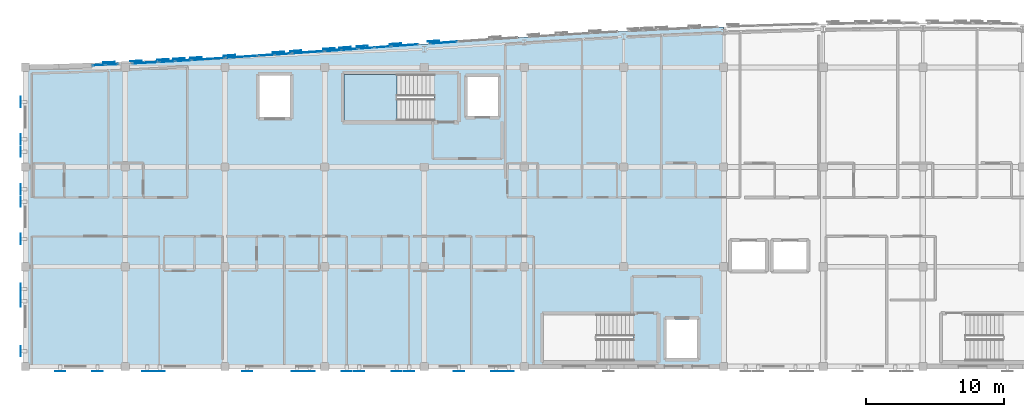
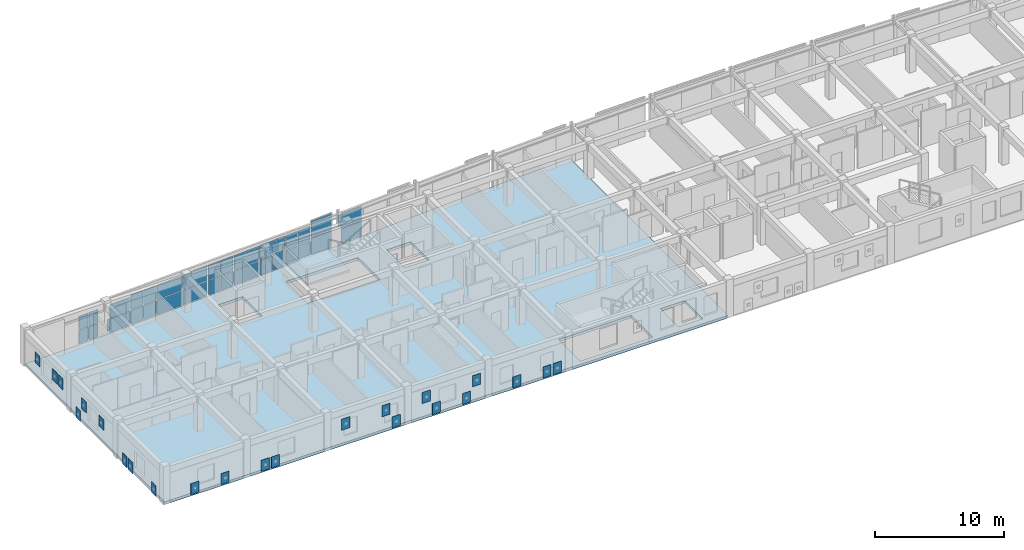
# One storey, part 33 of 51: 68 plates, 2 slabs, 12 elements without a shape of their own.
"""IFC4 building model written with IfcOpenShell, lengths in metres."""

from ifc_helpers import new_model, si_unit, direction, frame, origin, origin_2d, place, context, subcontext, project, spatial, polyline, rectangle, outline, extrude, material, layer, layer_set, type_object, element, aggregate, save


model = new_model("IFC4")

# Units and contexts
model_context = context("Model", 3, precision=1e-05, world=origin(), true_north=direction((0.0, 1.0)))
body_context = subcontext(model_context, "Body", "Model", "MODEL_VIEW")
ifc_project = project(units=[si_unit("LENGTHUNIT", "METRE"), si_unit("AREAUNIT", "SQUARE_METRE"), si_unit("VOLUMEUNIT", "CUBIC_METRE"), si_unit("PLANEANGLEUNIT", "RADIAN"), si_unit("MASSUNIT", "GRAM", prefix="KILO")], contexts=[model_context])

# Site, building, storey
site_placement = place(None, origin())
site = spatial("IfcSite", under=ifc_project, at=site_placement, CompositionType="ELEMENT")
building_placement = place(site_placement, origin())
building = spatial("IfcBuilding", under=site, at=building_placement, Name="Carrowvane Square Congress Hotel", CompositionType="ELEMENT")
storey_placement = place(building_placement, frame((0.0, 0.0, 30.0)))
storey = spatial("IfcBuildingStorey", under=building, at=storey_placement, Name="L07", CompositionType="ELEMENT", Elevation=30.0)

# Curtain wall, plates
ifc_material_1 = material(Name="Anodised aluminium", Category="aluminium")
ifc_layer_1 = layer(ifc_material_1, 0.18603515625)
ifc_layer_set_1 = layer_set([ifc_layer_1], Name="Anodised aluminium")
curtain_wall_type_1 = type_object("IfcCurtainWallType", Name="CW-SYS-3", PredefinedType="NOTDEFINED", material=ifc_layer_set_1)
curtain_wall_1_placement = place(storey_placement, origin())
curtain_wall_1 = element("IfcCurtainWall", 1, at=curtain_wall_1_placement, inside=storey, type_object=curtain_wall_type_1, Name="L07 unitised curtain wall 410", PredefinedType="NOTDEFINED")
ifc_material_2 = material(Name="Double-glazed low-E glass", Category="glass")
ifc_layer_2 = layer(ifc_material_2, 0.028076171875)
ifc_layer_set_2 = layer_set([ifc_layer_2], Name="Double-glazed low-E glass")
plate_type_1 = type_object("IfcPlateType", Name="CW-PAN-1", PredefinedType="CURTAIN_PANEL", material=ifc_layer_set_2)
plate_1_placement = place(storey_placement, frame((46.39990234375, 113.999267578125, 0.06005859375), z_axis=(0.0, 0.0, 1.0), x_axis=(0.997996225303, 0.063273487972, 0.0)))
plate_1 = element("IfcPlate", 2, at=plate_1_placement, type_object=plate_type_1, Name="CW-3 panel 1.1", PredefinedType="CURTAIN_PANEL", context=body_context, shape_type="SweptSolid", body=[
    extrude(rectangle(XDim=2.284912109375, YDim=0.028076171875, at=origin_2d()), origin(), (0.0, 0.0, 1.0), 1.377685546875),
])
plate_2_placement = place(storey_placement, frame((46.39990234375, 113.999267578125, 1.498046875), z_axis=(0.0, 0.0, 1.0), x_axis=(0.997996225303, 0.063273487972, 0.0)))
plate_2 = element("IfcPlate", 3, at=plate_2_placement, type_object=plate_type_1, Name="CW-3 panel 1.2", PredefinedType="CURTAIN_PANEL", context=body_context, shape_type="SweptSolid", body=[
    extrude(rectangle(XDim=2.284912109375, YDim=0.028076171875, at=origin_2d()), origin(), (0.0, 0.0, 1.0), 1.377685546875),
])
aggregate(curtain_wall_1, [plate_1, plate_2])

ifc_material_3 = material(Name="Anodised aluminium", Category="aluminium")
ifc_layer_3 = layer(ifc_material_3, 0.24609375)
ifc_layer_set_3 = layer_set([ifc_layer_3], Name="Anodised aluminium")
curtain_wall_type_2 = type_object("IfcCurtainWallType", Name="CW-SYS-8", PredefinedType="NOTDEFINED", material=ifc_layer_set_3)
curtain_wall_2_placement = place(storey_placement, origin())
curtain_wall_2 = element("IfcCurtainWall", 4, at=curtain_wall_2_placement, inside=storey, type_object=curtain_wall_type_2, Name="L07 unitised curtain wall 415", PredefinedType="NOTDEFINED")
plate_3_placement = place(storey_placement, frame((57.8173828125, 114.787353515625, 0.070068359375), z_axis=(0.0, 0.0, 1.0), x_axis=(0.997438322595, 0.071531759512, 0.0)))
plate_3 = element("IfcPlate", 5, at=plate_3_placement, type_object=plate_type_1, Name="CW-8 panel 1.1", PredefinedType="CURTAIN_PANEL", context=body_context, shape_type="SweptSolid", body=[
    extrude(rectangle(XDim=1.09814453125, YDim=0.028076171875, at=origin_2d()), origin(), (0.0, 0.0, 1.0), 1.36279296875),
])
plate_4_placement = place(storey_placement, frame((57.8173828125, 114.787353515625, 1.502685546875), z_axis=(0.0, 0.0, 1.0), x_axis=(0.997438322595, 0.071531759512, 0.0)))
plate_4 = element("IfcPlate", 6, at=plate_4_placement, type_object=plate_type_1, Name="CW-8 panel 1.2", PredefinedType="CURTAIN_PANEL", context=body_context, shape_type="SweptSolid", body=[
    extrude(rectangle(XDim=1.09814453125, YDim=0.028076171875, at=origin_2d()), origin(), (0.0, 0.0, 1.0), 1.36279296875),
])
plate_5_placement = place(storey_placement, frame((58.982666015625, 114.870849609375, 0.070068359375), z_axis=(0.0, 0.0, 1.0), x_axis=(0.997438322595, 0.071531759512, 0.0)))
plate_5 = element("IfcPlate", 7, at=plate_5_placement, type_object=plate_type_1, Name="CW-8 panel 2.1", PredefinedType="CURTAIN_PANEL", context=body_context, shape_type="SweptSolid", body=[
    extrude(rectangle(XDim=1.09814453125, YDim=0.028076171875, at=origin_2d()), origin(), (0.0, 0.0, 1.0), 1.36279296875),
])
plate_6_placement = place(storey_placement, frame((58.982666015625, 114.870849609375, 1.502685546875), z_axis=(0.0, 0.0, 1.0), x_axis=(0.997438322595, 0.071531759512, 0.0)))
plate_6 = element("IfcPlate", 8, at=plate_6_placement, type_object=plate_type_1, Name="CW-8 panel 2.2", PredefinedType="CURTAIN_PANEL", context=body_context, shape_type="SweptSolid", body=[
    extrude(rectangle(XDim=1.09814453125, YDim=0.028076171875, at=origin_2d()), origin(), (0.0, 0.0, 1.0), 1.36279296875),
])
aggregate(curtain_wall_2, [plate_3, plate_4, plate_5, plate_6])

ifc_material_4 = material(Name="Anodised aluminium", Category="aluminium")
ifc_layer_4 = layer(ifc_material_4, 0.197998046875)
ifc_layer_set_4 = layer_set([ifc_layer_4], Name="Anodised aluminium")
curtain_wall_type_3 = type_object("IfcCurtainWallType", Name="CW-SYS-4", PredefinedType="NOTDEFINED", material=ifc_layer_set_4)
curtain_wall_3_placement = place(storey_placement, origin())
curtain_wall_3 = element("IfcCurtainWall", 9, at=curtain_wall_3_placement, inside=storey, type_object=curtain_wall_type_3, Name="L07 unitised curtain wall 411", PredefinedType="NOTDEFINED")
ifc_material_5 = material(Name="Double-glazed low-E glass", Category="glass")
ifc_layer_5 = layer(ifc_material_5, 0.031982421875)
ifc_layer_set_5 = layer_set([ifc_layer_5], Name="Double-glazed low-E glass")
plate_type_2 = type_object("IfcPlateType", Name="CW-PAN-2", PredefinedType="CURTAIN_PANEL", material=ifc_layer_set_5)
plate_7_placement = place(storey_placement, frame((48.800048828125, 114.155517578125, 0.070068359375), z_axis=(0.0, 0.0, 1.0), x_axis=(0.99778121937, 0.066578061501, 0.0)))
plate_7 = element("IfcPlate", 10, at=plate_7_placement, type_object=plate_type_2, Name="CW-4 panel 1.1", PredefinedType="CURTAIN_PANEL", context=body_context, shape_type="SweptSolid", body=[
    extrude(rectangle(XDim=2.265380859375, YDim=0.031982421875, at=origin_2d()), origin(), (0.0, 0.0, 1.0), 1.36279296875),
])
plate_8_placement = place(storey_placement, frame((48.800048828125, 114.155517578125, 1.502685546875), z_axis=(0.0, 0.0, 1.0), x_axis=(0.99778121937, 0.066578061501, 0.0)))
plate_8 = element("IfcPlate", 11, at=plate_8_placement, type_object=plate_type_2, Name="CW-4 panel 1.2", PredefinedType="CURTAIN_PANEL", context=body_context, shape_type="SweptSolid", body=[
    extrude(rectangle(XDim=2.265380859375, YDim=0.031982421875, at=origin_2d()), origin(), (0.0, 0.0, 1.0), 1.36279296875),
])
aggregate(curtain_wall_3, [plate_7, plate_8])

ifc_material_6 = material(Name="Anodised aluminium", Category="aluminium")
ifc_layer_6 = layer(ifc_material_6, 0.162109375)
ifc_layer_set_6 = layer_set([ifc_layer_6], Name="Anodised aluminium")
curtain_wall_type_4 = type_object("IfcCurtainWallType", Name="CW-SYS-1", PredefinedType="NOTDEFINED", material=ifc_layer_set_6)
curtain_wall_4_placement = place(storey_placement, origin())
curtain_wall_4 = element("IfcCurtainWall", 12, at=curtain_wall_4_placement, inside=storey, type_object=curtain_wall_type_4, Name="L07 unitised curtain wall 416", PredefinedType="NOTDEFINED")
plate_9_placement = place(storey_placement, frame((60.5947265625, 114.986083984375, 0.06005859375), z_axis=(0.0, 0.0, 1.0), x_axis=(0.997479146426, 0.070960217342, 0.0)))
plate_9 = element("IfcPlate", 13, at=plate_9_placement, type_object=plate_type_2, Name="CW-1 panel 1.1", PredefinedType="CURTAIN_PANEL", context=body_context, shape_type="SweptSolid", body=[
    extrude(rectangle(XDim=1.87451171875, YDim=0.031982421875, at=origin_2d()), origin(), (0.0, 0.0, 1.0), 1.590087890625),
])
plate_10_placement = place(storey_placement, frame((60.5947265625, 114.986083984375, 1.7099609375), z_axis=(0.0, 0.0, 1.0), x_axis=(0.997479146426, 0.070960217342, 0.0)))
plate_10 = element("IfcPlate", 14, at=plate_10_placement, type_object=plate_type_2, Name="CW-1 panel 1.2", PredefinedType="CURTAIN_PANEL", context=body_context, shape_type="SweptSolid", body=[
    extrude(rectangle(XDim=1.87451171875, YDim=0.031982421875, at=origin_2d()), origin(), (0.0, 0.0, 1.0), 1.590087890625),
])
aggregate(curtain_wall_4, [plate_9, plate_10])

curtain_wall_5_placement = place(storey_placement, origin())
curtain_wall_5 = element("IfcCurtainWall", 15, at=curtain_wall_5_placement, inside=storey, type_object=curtain_wall_type_2, Name="L07 unitised curtain wall 407", PredefinedType="NOTDEFINED")
ifc_material_7 = material(Name="Double-glazed low-E glass", Category="glass")
ifc_layer_7 = layer(ifc_material_7, 0.035888671875)
ifc_layer_set_7 = layer_set([ifc_layer_7], Name="Double-glazed low-E glass")
plate_type_3 = type_object("IfcPlateType", Name="CW-PAN-3", PredefinedType="CURTAIN_PANEL", material=ifc_layer_set_7)
plate_11_placement = place(storey_placement, frame((38.495361328125, 113.56396484375, 0.070068359375), z_axis=(0.0, 0.0, 1.0), x_axis=(0.998917263935, 0.046522035775, 0.0)))
plate_11 = element("IfcPlate", 16, at=plate_11_placement, type_object=plate_type_3, Name="CW-8 panel 1.1", PredefinedType="CURTAIN_PANEL", context=body_context, shape_type="SweptSolid", body=[
    extrude(rectangle(XDim=0.851806640625, YDim=0.035888671875, at=origin_2d()), origin(), (0.0, 0.0, 1.0), 1.267578125),
])
plate_12_placement = place(storey_placement, frame((38.495361328125, 113.56396484375, 1.407470703125), z_axis=(0.0, 0.0, 1.0), x_axis=(0.998917263935, 0.046522035775, 0.0)))
plate_12 = element("IfcPlate", 17, at=plate_12_placement, type_object=plate_type_3, Name="CW-8 panel 1.2", PredefinedType="CURTAIN_PANEL", context=body_context, shape_type="SweptSolid", body=[
    extrude(rectangle(XDim=0.851806640625, YDim=0.035888671875, at=origin_2d()), origin(), (0.0, 0.0, 1.0), 1.267578125),
])
plate_13_placement = place(storey_placement, frame((39.416015625, 113.60693359375, 0.070068359375), z_axis=(0.0, 0.0, 1.0), x_axis=(0.998917263935, 0.046522035775, 0.0)))
plate_13 = element("IfcPlate", 18, at=plate_13_placement, type_object=plate_type_3, Name="CW-8 panel 2.1", PredefinedType="CURTAIN_PANEL", context=body_context, shape_type="SweptSolid", body=[
    extrude(rectangle(XDim=0.851806640625, YDim=0.035888671875, at=origin_2d()), origin(), (0.0, 0.0, 1.0), 1.267578125),
])
plate_14_placement = place(storey_placement, frame((39.416015625, 113.60693359375, 1.407470703125), z_axis=(0.0, 0.0, 1.0), x_axis=(0.998917263935, 0.046522035775, 0.0)))
plate_14 = element("IfcPlate", 19, at=plate_14_placement, type_object=plate_type_3, Name="CW-8 panel 2.2", PredefinedType="CURTAIN_PANEL", context=body_context, shape_type="SweptSolid", body=[
    extrude(rectangle(XDim=0.851806640625, YDim=0.035888671875, at=origin_2d()), origin(), (0.0, 0.0, 1.0), 1.267578125),
])
aggregate(curtain_wall_5, [plate_11, plate_12, plate_13, plate_14])

ifc_material_8 = material(Name="Anodised aluminium", Category="aluminium")
ifc_layer_8 = layer(ifc_material_8, 0.2099609375)
ifc_layer_set_8 = layer_set([ifc_layer_8], Name="Anodised aluminium")
curtain_wall_type_5 = type_object("IfcCurtainWallType", Name="CW-SYS-5", PredefinedType="NOTDEFINED", material=ifc_layer_set_8)
curtain_wall_6_placement = place(storey_placement, origin())
curtain_wall_6 = element("IfcCurtainWall", 20, at=curtain_wall_6_placement, inside=storey, type_object=curtain_wall_type_5, Name="L07 unitised curtain wall 412", PredefinedType="NOTDEFINED")
plate_15_placement = place(storey_placement, frame((50.614990234375, 114.278076171875, 0.06005859375), z_axis=(0.0, 0.0, 1.0), x_axis=(0.997617619706, 0.068986120725, 0.0)))
plate_15 = element("IfcPlate", 21, at=plate_15_placement, type_object=plate_type_3, Name="CW-5 panel 1.1", PredefinedType="CURTAIN_PANEL", context=body_context, shape_type="SweptSolid", body=[
    extrude(rectangle(XDim=1.11279296875, YDim=0.035888671875, at=origin_2d()), origin(), (0.0, 0.0, 1.0), 1.377685546875),
])
plate_16_placement = place(storey_placement, frame((50.614990234375, 114.278076171875, 1.498046875), z_axis=(0.0, 0.0, 1.0), x_axis=(0.997617619706, 0.068986120725, 0.0)))
plate_16 = element("IfcPlate", 22, at=plate_16_placement, type_object=plate_type_3, Name="CW-5 panel 1.2", PredefinedType="CURTAIN_PANEL", context=body_context, shape_type="SweptSolid", body=[
    extrude(rectangle(XDim=1.11279296875, YDim=0.035888671875, at=origin_2d()), origin(), (0.0, 0.0, 1.0), 1.377685546875),
])
plate_17_placement = place(storey_placement, frame((51.784912109375, 114.35888671875, 0.06005859375), z_axis=(0.0, 0.0, 1.0), x_axis=(0.997617619706, 0.068986120725, 0.0)))
plate_17 = element("IfcPlate", 23, at=plate_17_placement, type_object=plate_type_3, Name="CW-5 panel 2.1", PredefinedType="CURTAIN_PANEL", context=body_context, shape_type="SweptSolid", body=[
    extrude(rectangle(XDim=1.11279296875, YDim=0.035888671875, at=origin_2d()), origin(), (0.0, 0.0, 1.0), 1.377685546875),
])
plate_18_placement = place(storey_placement, frame((51.784912109375, 114.35888671875, 1.498046875), z_axis=(0.0, 0.0, 1.0), x_axis=(0.997617619706, 0.068986120725, 0.0)))
plate_18 = element("IfcPlate", 24, at=plate_18_placement, type_object=plate_type_3, Name="CW-5 panel 2.2", PredefinedType="CURTAIN_PANEL", context=body_context, shape_type="SweptSolid", body=[
    extrude(rectangle(XDim=1.11279296875, YDim=0.035888671875, at=origin_2d()), origin(), (0.0, 0.0, 1.0), 1.377685546875),
])
aggregate(curtain_wall_6, [plate_15, plate_16, plate_17, plate_18])

ifc_material_9 = material(Name="Anodised aluminium", Category="aluminium")
ifc_layer_9 = layer(ifc_material_9, 0.174072265625)
ifc_layer_set_9 = layer_set([ifc_layer_9], Name="Anodised aluminium")
curtain_wall_type_6 = type_object("IfcCurtainWallType", Name="CW-SYS-2", PredefinedType="NOTDEFINED", material=ifc_layer_set_9)
curtain_wall_7_placement = place(storey_placement, origin())
curtain_wall_7 = element("IfcCurtainWall", 25, at=curtain_wall_7_placement, inside=storey, type_object=curtain_wall_type_6, Name="L07 unitised curtain wall 417", PredefinedType="NOTDEFINED")
plate_19_placement = place(storey_placement, frame((63.378662109375, 115.182373046875, 0.070068359375), z_axis=(0.0, 0.0, 1.0), x_axis=(0.997566332949, 0.069723822092, 0.0)))
plate_19 = element("IfcPlate", 26, at=plate_19_placement, type_object=plate_type_3, Name="CW-2 panel 1.1", PredefinedType="CURTAIN_PANEL", context=body_context, shape_type="SweptSolid", body=[
    extrude(rectangle(XDim=1.90771484375, YDim=0.035888671875, at=origin_2d()), origin(), (0.0, 0.0, 1.0), 1.36279296875),
])
plate_20_placement = place(storey_placement, frame((63.378662109375, 115.182373046875, 1.502685546875), z_axis=(0.0, 0.0, 1.0), x_axis=(0.997566332949, 0.069723822092, 0.0)))
plate_20 = element("IfcPlate", 27, at=plate_20_placement, type_object=plate_type_3, Name="CW-2 panel 1.2", PredefinedType="CURTAIN_PANEL", context=body_context, shape_type="SweptSolid", body=[
    extrude(rectangle(XDim=1.90771484375, YDim=0.035888671875, at=origin_2d()), origin(), (0.0, 0.0, 1.0), 1.36279296875),
])
aggregate(curtain_wall_7, [plate_19, plate_20])

curtain_wall_8_placement = place(storey_placement, origin())
curtain_wall_8 = element("IfcCurtainWall", 28, at=curtain_wall_8_placement, inside=storey, type_object=curtain_wall_type_4, Name="L07 unitised curtain wall 408", PredefinedType="NOTDEFINED")
ifc_material_10 = material(Name="Double-glazed low-E glass", Category="glass")
ifc_layer_10 = layer(ifc_material_10, 0.0419921875)
ifc_layer_set_10 = layer_set([ifc_layer_10], Name="Double-glazed low-E glass")
plate_type_4 = type_object("IfcPlateType", Name="CW-PAN-4", PredefinedType="CURTAIN_PANEL", material=ifc_layer_set_10)
plate_21_placement = place(storey_placement, frame((41.83154296875, 113.7294921875, 0.06005859375), z_axis=(0.0, 0.0, 1.0), x_axis=(0.998567109091, 0.053513817306, 0.0)))
plate_21 = element("IfcPlate", 29, at=plate_21_placement, type_object=plate_type_4, Name="CW-1 panel 1.1", PredefinedType="CURTAIN_PANEL", context=body_context, shape_type="SweptSolid", body=[
    extrude(rectangle(XDim=1.819580078125, YDim=0.0419921875, at=origin_2d()), origin(), (0.0, 0.0, 1.0), 1.282470703125),
])
plate_22_placement = place(storey_placement, frame((41.83154296875, 113.7294921875, 1.40234375), z_axis=(0.0, 0.0, 1.0), x_axis=(0.998567109091, 0.053513817306, 0.0)))
plate_22 = element("IfcPlate", 30, at=plate_22_placement, type_object=plate_type_4, Name="CW-1 panel 1.2", PredefinedType="CURTAIN_PANEL", context=body_context, shape_type="SweptSolid", body=[
    extrude(rectangle(XDim=1.819580078125, YDim=0.0419921875, at=origin_2d()), origin(), (0.0, 0.0, 1.0), 1.282470703125),
])
aggregate(curtain_wall_8, [plate_21, plate_22])

ifc_material_11 = material(Name="Anodised aluminium", Category="aluminium")
ifc_layer_11 = layer(ifc_material_11, 0.221923828125)
ifc_layer_set_11 = layer_set([ifc_layer_11], Name="Anodised aluminium")
curtain_wall_type_7 = type_object("IfcCurtainWallType", Name="CW-SYS-6", PredefinedType="NOTDEFINED", material=ifc_layer_set_11)
curtain_wall_9_placement = place(storey_placement, origin())
curtain_wall_9 = element("IfcCurtainWall", 31, at=curtain_wall_9_placement, inside=storey, type_object=curtain_wall_type_7, Name="L07 unitised curtain wall 413", PredefinedType="NOTDEFINED")
plate_23_placement = place(storey_placement, frame((53.60009765625, 114.486328125, 0.070068359375), z_axis=(0.0, 0.0, 1.0), x_axis=(0.997505697746, 0.070585996942, 0.0)))
plate_23 = element("IfcPlate", 32, at=plate_23_placement, type_object=plate_type_4, Name="CW-6 panel 1.1", PredefinedType="CURTAIN_PANEL", context=body_context, shape_type="SweptSolid", body=[
    extrude(rectangle(XDim=2.26611328125, YDim=0.0419921875, at=origin_2d()), origin(), (0.0, 0.0, 1.0), 1.36279296875),
])
plate_24_placement = place(storey_placement, frame((53.60009765625, 114.486328125, 1.502685546875), z_axis=(0.0, 0.0, 1.0), x_axis=(0.997505697746, 0.070585996942, 0.0)))
plate_24 = element("IfcPlate", 33, at=plate_24_placement, type_object=plate_type_4, Name="CW-6 panel 1.2", PredefinedType="CURTAIN_PANEL", context=body_context, shape_type="SweptSolid", body=[
    extrude(rectangle(XDim=2.26611328125, YDim=0.0419921875, at=origin_2d()), origin(), (0.0, 0.0, 1.0), 1.36279296875),
])
aggregate(curtain_wall_9, [plate_23, plate_24])

curtain_wall_10_placement = place(storey_placement, origin())
curtain_wall_10 = element("IfcCurtainWall", 34, at=curtain_wall_10_placement, inside=storey, type_object=curtain_wall_type_6, Name="L07 unitised curtain wall 409", PredefinedType="NOTDEFINED")
ifc_material_12 = material(Name="Double-glazed low-E glass", Category="glass")
ifc_layer_12 = layer(ifc_material_12, 0.048095703125)
ifc_layer_set_12 = layer_set([ifc_layer_12], Name="Double-glazed low-E glass")
plate_type_5 = type_object("IfcPlateType", Name="CW-PAN-5", PredefinedType="CURTAIN_PANEL", material=ifc_layer_set_12)
plate_25_placement = place(storey_placement, frame((43.41748046875, 113.81787109375, 0.070068359375), z_axis=(0.0, 0.0, 1.0), x_axis=(0.99825866099, 0.058988522254, 0.0)))
plate_25 = element("IfcPlate", 35, at=plate_25_placement, type_object=plate_type_5, Name="CW-2 panel 1.1", PredefinedType="CURTAIN_PANEL", context=body_context, shape_type="SweptSolid", body=[
    extrude(rectangle(XDim=1.09716796875, YDim=0.048095703125, at=origin_2d()), origin(), (0.0, 0.0, 1.0), 1.36279296875),
])
plate_26_placement = place(storey_placement, frame((43.41748046875, 113.81787109375, 1.502685546875), z_axis=(0.0, 0.0, 1.0), x_axis=(0.99825866099, 0.058988522254, 0.0)))
plate_26 = element("IfcPlate", 36, at=plate_26_placement, type_object=plate_type_5, Name="CW-2 panel 1.2", PredefinedType="CURTAIN_PANEL", context=body_context, shape_type="SweptSolid", body=[
    extrude(rectangle(XDim=1.09716796875, YDim=0.048095703125, at=origin_2d()), origin(), (0.0, 0.0, 1.0), 1.36279296875),
])
plate_27_placement = place(storey_placement, frame((44.58251953125, 113.88671875, 0.070068359375), z_axis=(0.0, 0.0, 1.0), x_axis=(0.99825866099, 0.058988522254, 0.0)))
plate_27 = element("IfcPlate", 37, at=plate_27_placement, type_object=plate_type_5, Name="CW-2 panel 2.1", PredefinedType="CURTAIN_PANEL", context=body_context, shape_type="SweptSolid", body=[
    extrude(rectangle(XDim=1.09716796875, YDim=0.048095703125, at=origin_2d()), origin(), (0.0, 0.0, 1.0), 1.36279296875),
])
plate_28_placement = place(storey_placement, frame((44.58251953125, 113.88671875, 1.502685546875), z_axis=(0.0, 0.0, 1.0), x_axis=(0.99825866099, 0.058988522254, 0.0)))
plate_28 = element("IfcPlate", 38, at=plate_28_placement, type_object=plate_type_5, Name="CW-2 panel 2.2", PredefinedType="CURTAIN_PANEL", context=body_context, shape_type="SweptSolid", body=[
    extrude(rectangle(XDim=1.09716796875, YDim=0.048095703125, at=origin_2d()), origin(), (0.0, 0.0, 1.0), 1.36279296875),
])
aggregate(curtain_wall_10, [plate_25, plate_26, plate_27, plate_28])

ifc_material_13 = material(Name="Anodised aluminium", Category="aluminium")
ifc_layer_13 = layer(ifc_material_13, 0.23388671875)
ifc_layer_set_13 = layer_set([ifc_layer_13], Name="Anodised aluminium")
curtain_wall_type_8 = type_object("IfcCurtainWallType", Name="CW-SYS-7", PredefinedType="NOTDEFINED", material=ifc_layer_set_13)
curtain_wall_11_placement = place(storey_placement, origin())
curtain_wall_11 = element("IfcCurtainWall", 39, at=curtain_wall_11_placement, inside=storey, type_object=curtain_wall_type_8, Name="L07 unitised curtain wall 414", PredefinedType="NOTDEFINED")
plate_29_placement = place(storey_placement, frame((55.4150390625, 114.615234375, 0.06005859375), z_axis=(0.0, 0.0, 1.0), x_axis=(0.997446448898, 0.071418356042, 0.0)))
plate_29 = element("IfcPlate", 40, at=plate_29_placement, type_object=plate_type_5, Name="CW-7 panel 1.1", PredefinedType="CURTAIN_PANEL", context=body_context, shape_type="SweptSolid", body=[
    extrude(rectangle(XDim=1.113037109375, YDim=0.048095703125, at=origin_2d()), origin(), (0.0, 0.0, 1.0), 1.377685546875),
])
plate_30_placement = place(storey_placement, frame((55.4150390625, 114.615234375, 1.498046875), z_axis=(0.0, 0.0, 1.0), x_axis=(0.997446448898, 0.071418356042, 0.0)))
plate_30 = element("IfcPlate", 41, at=plate_30_placement, type_object=plate_type_5, Name="CW-7 panel 1.2", PredefinedType="CURTAIN_PANEL", context=body_context, shape_type="SweptSolid", body=[
    extrude(rectangle(XDim=1.113037109375, YDim=0.048095703125, at=origin_2d()), origin(), (0.0, 0.0, 1.0), 1.377685546875),
])
plate_31_placement = place(storey_placement, frame((56.5849609375, 114.698974609375, 0.06005859375), z_axis=(0.0, 0.0, 1.0), x_axis=(0.997446448898, 0.071418356042, 0.0)))
plate_31 = element("IfcPlate", 42, at=plate_31_placement, type_object=plate_type_5, Name="CW-7 panel 2.1", PredefinedType="CURTAIN_PANEL", context=body_context, shape_type="SweptSolid", body=[
    extrude(rectangle(XDim=1.113037109375, YDim=0.048095703125, at=origin_2d()), origin(), (0.0, 0.0, 1.0), 1.377685546875),
])
plate_32_placement = place(storey_placement, frame((56.5849609375, 114.698974609375, 1.498046875), z_axis=(0.0, 0.0, 1.0), x_axis=(0.997446448898, 0.071418356042, 0.0)))
plate_32 = element("IfcPlate", 43, at=plate_32_placement, type_object=plate_type_5, Name="CW-7 panel 2.2", PredefinedType="CURTAIN_PANEL", context=body_context, shape_type="SweptSolid", body=[
    extrude(rectangle(XDim=1.113037109375, YDim=0.048095703125, at=origin_2d()), origin(), (0.0, 0.0, 1.0), 1.377685546875),
])
aggregate(curtain_wall_11, [plate_29, plate_30, plate_31, plate_32])

# Plates
ifc_material_14 = material(Name="Champagne-gold anodised aluminium", Category="aluminium")
ifc_layer_14 = layer(ifc_material_14, 0.011962890625)
ifc_layer_set_14 = layer_set([ifc_layer_14], Name="Champagne-gold anodised aluminium")
plate_type_6 = type_object("IfcPlateType", Name="PLT-PIX-GOLD12", PredefinedType="SHEET", material=ifc_layer_set_14)
plate_33_placement = place(storey_placement, frame((39.228271484375, 113.764404296875, 0.119873046875), z_axis=(0.0, 0.0, 1.0), x_axis=(0.99891730083, 0.046521243556, 0.0)))
element("IfcPlate", 44, at=plate_33_placement, inside=storey, type_object=plate_type_6, Name="Champagne-gold pixel screen plate 640", PredefinedType="SHEET", context=body_context, shape_type="SweptSolid", body=[
    extrude(rectangle(XDim=0.8017578125, YDim=0.011962890625, at=origin_2d()), origin(), (0.0, 0.0, 1.0), 1.1201171875),
])
for number, where, z_axis, x_axis, name in (
    (45, (43.114501953125, 113.96630859375, 0.119873046875), (0.0, 0.0, 1.0), (0.998258866948, 0.05898503675, 0.0), "Champagne-gold pixel screen plate 642"),
    (46, (44.279541015625, 114.03515625, 0.119873046875), (0.0, 0.0, 1.0), (0.998258866948, 0.05898503675, 0.0), "Champagne-gold pixel screen plate 643"),
    (47, (47.9130859375, 114.2626953125, 1.58984375), (0.0, 0.0, 1.0), (0.997781458784, 0.066574473385, 0.0), "Champagne-gold pixel screen plate 645"),
    (48, (52.712158203125, 114.58984375, 0.119873046875), (0.0, 0.0, 1.0), (0.997505756275, 0.070585169822, 0.0), "Champagne-gold pixel screen plate 647"),
    (49, (57.51220703125, 114.931884765625, 1.58984375), (0.0, 0.0, 1.0), (0.997438267187, 0.071532532122, 0.0), "Champagne-gold pixel screen plate 650"),
    (50, (62.669677734375, 115.299072265625, 1.58984375), (0.0, 0.0, 1.0), (0.997566258056, 0.069724893606, 0.0), "Champagne-gold pixel screen plate 652"),
):
    element("IfcPlate", number, at=place(storey_placement, frame(where, z_axis=z_axis, x_axis=x_axis)), inside=storey, type_object=plate_type_6, Name=name, PredefinedType="SHEET", context=body_context, shape_type="SweptSolid", body=[
        extrude(rectangle(XDim=0.827880859375, YDim=0.011962890625, at=origin_2d()), origin(), (0.0, 0.0, 1.0), 1.1201171875),
    ])
for number, where, z_axis, x_axis, name in (
    (51, (68.10009765625, 91.4541015625, 0.15478515625), (0.0, 0.0, 1.0), (-1.0, 0.0, 0.0), "Champagne-gold pixel screen plate S-735"),
    (52, (67.199951171875, 91.4541015625, 0.15478515625), (0.0, 0.0, 1.0), (-1.0, 0.0, 0.0), "Champagne-gold pixel screen plate S-736"),
    (53, (64.5, 91.4541015625, 0.15478515625), (0.0, 0.0, 1.0), (-1.0, 0.0, 0.0), "Champagne-gold pixel screen plate S-737"),
    (54, (53.699951171875, 91.4541015625, 0.15478515625), (0.0, 0.0, 1.0), (-1.0, 0.0, 0.0), "Champagne-gold pixel screen plate S-742"),
    (55, (52.800048828125, 91.4541015625, 1.52490234375), (0.0, 0.0, 1.0), (-1.0, 0.0, 0.0), "Champagne-gold pixel screen plate S-743"),
    (56, (49.199951171875, 91.4541015625, 1.52490234375), (0.0, 0.0, 1.0), (-1.0, 0.0, 0.0), "Champagne-gold pixel screen plate S-744"),
    (57, (38.39990234375, 91.4541015625, 0.15478515625), (0.0, 0.0, 1.0), (-1.0, 0.0, 0.0), "Champagne-gold pixel screen plate S-747"),
    (58, (35.699951171875, 91.4541015625, 0.15478515625), (0.0, 0.0, 1.0), (-1.0, 0.0, 0.0), "Champagne-gold pixel screen plate S-748"),
    (59, (32.85400390625, 101.0, 1.52001953125), (0.0, 0.0, 1.0), (0.0, 1.0, 0.0), "Champagne-gold pixel screen plate S-752"),
    (60, (32.85400390625, 103.699951171875, 1.52001953125), (0.0, 0.0, 1.0), (0.0, 1.0, 0.0), "Champagne-gold pixel screen plate S-753"),
    (61, (32.85400390625, 104.60009765625, 0.15478515625), (0.0, 0.0, 1.0), (0.0, 1.0, 0.0), "Champagne-gold pixel screen plate S-754"),
):
    element("IfcPlate", number, at=place(storey_placement, frame(where, z_axis=z_axis, x_axis=x_axis)), inside=storey, type_object=plate_type_6, Name=name, PredefinedType="SHEET", context=body_context, shape_type="SweptSolid", body=[
        extrude(rectangle(XDim=0.738037109375, YDim=0.011962890625, at=origin_2d()), origin(), (0.0, 0.0, 1.0), 1.050048828125),
    ])
ifc_material_15 = material(Name="Champagne-gold anodised aluminium", Category="aluminium")
ifc_layer_15 = layer(ifc_material_15, 0.008056640625)
ifc_layer_set_15 = layer_set([ifc_layer_15], Name="Champagne-gold anodised aluminium")
plate_type_7 = type_object("IfcPlateType", Name="PLT-PIX-GOLD8", PredefinedType="SHEET", material=ifc_layer_set_15)
for number, where, z_axis, x_axis, name in (
    (62, (41.173828125, 113.8583984375, 0.119873046875), (0.0, 0.0, 1.0), (0.998566941363, 0.053516947007, 0.0), "Champagne-gold pixel screen plate 641"),
    (63, (45.5087890625, 114.107177734375, 0.119873046875), (0.0, 0.0, 1.0), (0.997996022269, 0.063276690295, 0.0), "Champagne-gold pixel screen plate 644"),
    (64, (51.477783203125, 114.501953125, 1.58984375), (0.0, 0.0, 1.0), (0.99761759323, 0.068986503591, 0.0), "Champagne-gold pixel screen plate 646"),
    (65, (55.107177734375, 114.757568359375, 1.58984375), (0.0, 0.0, 1.0), (0.997446326449, 0.071420066188, 0.0), "Champagne-gold pixel screen plate 648"),
    (66, (56.27734375, 114.841552734375, 1.58984375), (0.0, 0.0, 1.0), (0.997446326449, 0.071420066188, 0.0), "Champagne-gold pixel screen plate 649"),
    (67, (59.907470703125, 115.1015625, 0.119873046875), (0.0, 0.0, 1.0), (0.997479379392, 0.070956942496, 0.0), "Champagne-gold pixel screen plate 651"),
):
    element("IfcPlate", number, at=place(storey_placement, frame(where, z_axis=z_axis, x_axis=x_axis)), inside=storey, type_object=plate_type_7, Name=name, PredefinedType="SHEET", context=body_context, shape_type="SweptSolid", body=[
        extrude(rectangle(XDim=0.827880859375, YDim=0.008056640625, at=origin_2d()), origin(), (0.0, 0.0, 1.0), 1.1201171875),
    ])
for number, where, z_axis, x_axis, name in (
    (68, (60.89990234375, 91.4560546875, 1.52490234375), (0.0, 0.0, 1.0), (-1.0, 0.0, 0.0), "Champagne-gold pixel screen plate S-738"),
    (69, (60.0, 91.4560546875, 0.15478515625), (0.0, 0.0, 1.0), (-1.0, 0.0, 0.0), "Champagne-gold pixel screen plate S-739"),
    (70, (57.300048828125, 91.4560546875, 0.15478515625), (0.0, 0.0, 1.0), (-1.0, 0.0, 0.0), "Champagne-gold pixel screen plate S-740"),
    (71, (56.39990234375, 91.4560546875, 1.52490234375), (0.0, 0.0, 1.0), (-1.0, 0.0, 0.0), "Champagne-gold pixel screen plate S-741"),
    (72, (42.89990234375, 91.4560546875, 0.15478515625), (0.0, 0.0, 1.0), (-1.0, 0.0, 0.0), "Champagne-gold pixel screen plate S-745"),
    (73, (42.0, 91.4560546875, 0.15478515625), (0.0, 0.0, 1.0), (-1.0, 0.0, 0.0), "Champagne-gold pixel screen plate S-746"),
    (74, (32.85595703125, 92.89990234375, 0.15478515625), (0.0, 0.0, 1.0), (0.0, 1.0, 0.0), "Champagne-gold pixel screen plate S-749"),
    (75, (32.85595703125, 96.5, 0.15478515625), (0.0, 0.0, 1.0), (0.0, 1.0, 0.0), "Champagne-gold pixel screen plate S-750"),
    (76, (32.85595703125, 97.39990234375, 0.15478515625), (0.0, 0.0, 1.0), (0.0, 1.0, 0.0), "Champagne-gold pixel screen plate S-751"),
    (77, (32.85595703125, 107.300048828125, 1.52001953125), (0.0, 0.0, 1.0), (0.0, 1.0, 0.0), "Champagne-gold pixel screen plate S-755"),
    (78, (32.85595703125, 108.199951171875, 1.52001953125), (0.0, 0.0, 1.0), (0.0, 1.0, 0.0), "Champagne-gold pixel screen plate S-756"),
    (79, (32.85595703125, 110.89990234375, 1.52001953125), (0.0, 0.0, 1.0), (0.0, 1.0, 0.0), "Champagne-gold pixel screen plate S-757"),
):
    element("IfcPlate", number, at=place(storey_placement, frame(where, z_axis=z_axis, x_axis=x_axis)), inside=storey, type_object=plate_type_7, Name=name, PredefinedType="SHEET", context=body_context, shape_type="SweptSolid", body=[
        extrude(rectangle(XDim=0.738037109375, YDim=0.008056640625, at=origin_2d()), origin(), (0.0, 0.0, 1.0), 1.050048828125),
    ])

# Slab
ifc_material_16 = material(Name="Concrete C35/45", Category="concrete")
ifc_layer_16 = layer(ifc_material_16, 0.25)
ifc_layer_set_16 = layer_set([ifc_layer_16], Name="Concrete C35/45")
slab_type_1 = type_object("IfcSlabType", Name="SLB-FLR-250", PredefinedType="FLOOR", material=ifc_layer_set_16)
slab_1_placement = place(storey_placement, frame((0.0, 0.0, -0.25)))
element("IfcSlab", 80, at=slab_1_placement, inside=storey, type_object=slab_type_1, Name="L07 Hotel Wing slab panel 1", PredefinedType="FLOOR", context=body_context, shape_type="SweptSolid", body=[
    extrude(outline(polyline([(33.199951171875, 91.800048828125), (83.60009765625, 91.800048828125), (83.60009765625, 116.323974609375), (81.199951171875, 116.2275390625), (78.800048828125, 116.118408203125), (76.39990234375, 115.99755859375), (74.0, 115.86572265625), (71.60009765625, 115.724365234375), (69.199951171875, 115.57421875), (66.800048828125, 115.4169921875), (64.39990234375, 115.253662109375), (62.0, 115.0859375), (59.60009765625, 114.915283203125), (57.199951171875, 114.7431640625), (54.800048828125, 114.5712890625), (52.39990234375, 114.4013671875), (50.0, 114.235595703125), (47.60009765625, 114.075439453125), (45.199951171875, 113.923095703125), (42.800048828125, 113.78125), (40.39990234375, 113.65283203125), (38.0, 113.541015625), (35.60009765625, 113.45166015625), (33.199951171875, 113.39990234375), (33.199951171875, 91.800048828125)]), holes=[polyline([(62.679931640625, 112.89990234375), (56.199951171875, 112.89990234375), (56.199951171875, 109.5400390625), (62.679931640625, 109.5400390625), (62.679931640625, 112.89990234375)]), polyline([(77.080078125, 95.56005859375), (70.60009765625, 95.56005859375), (70.60009765625, 92.199951171875), (77.080078125, 92.199951171875), (77.080078125, 95.56005859375)]), polyline([(65.10009765625, 109.89990234375), (67.300048828125, 109.89990234375), (67.300048828125, 112.699951171875), (65.10009765625, 112.699951171875), (65.10009765625, 109.89990234375)]), polyline([(79.5, 92.39990234375), (81.699951171875, 92.39990234375), (81.699951171875, 95.199951171875), (79.5, 95.199951171875), (79.5, 92.39990234375)]), polyline([(50.10009765625, 109.800048828125), (52.300048828125, 109.800048828125), (52.300048828125, 112.800048828125), (50.10009765625, 112.800048828125), (50.10009765625, 109.800048828125)])]), origin(), (0.0, 0.0, 1.0), 0.25),
])

# Stair, slab
ifc_material_17 = material(Name="Concrete C35/45", Category="concrete")
stair_type = type_object("IfcStairType", Name="STR-DOG-02", PredefinedType="HALF_TURN_STAIR", material=ifc_material_17)
stair_placement = place(storey_placement, origin())
stair = element("IfcStair", 81, at=stair_placement, inside=storey, type_object=stair_type, Name="L07 Core C1 West Hotel Firefighting Stair", PredefinedType="HALF_TURN_STAIR")
ifc_material_18 = material(Name="Concrete C35/45", Category="concrete")
ifc_layer_17 = layer(ifc_material_18, 0.199951171875)
ifc_layer_set_17 = layer_set([ifc_layer_17], Name="Concrete C35/45")
slab_type_2 = type_object("IfcSlabType", Name="SLB-LND-200", PredefinedType="LANDING", material=ifc_layer_set_17)
slab_2_placement = place(storey_placement, frame((0.0, 0.0, 1.60009765625)))
slab_2 = element("IfcSlab", 82, at=slab_2_placement, type_object=slab_type_2, Name="ST1 landing 1", PredefinedType="LANDING", context=body_context, shape_type="SweptSolid", body=[
    extrude(outline(polyline([(60.02001953125, 112.89990234375), (56.199951171875, 112.89990234375), (56.199951171875, 109.5400390625), (60.02001953125, 109.5400390625), (60.02001953125, 112.89990234375)])), origin(), (0.0, 0.0, 1.0), 0.199951171875),
])
aggregate(stair, [slab_2])

save(model, "model.ifc")
